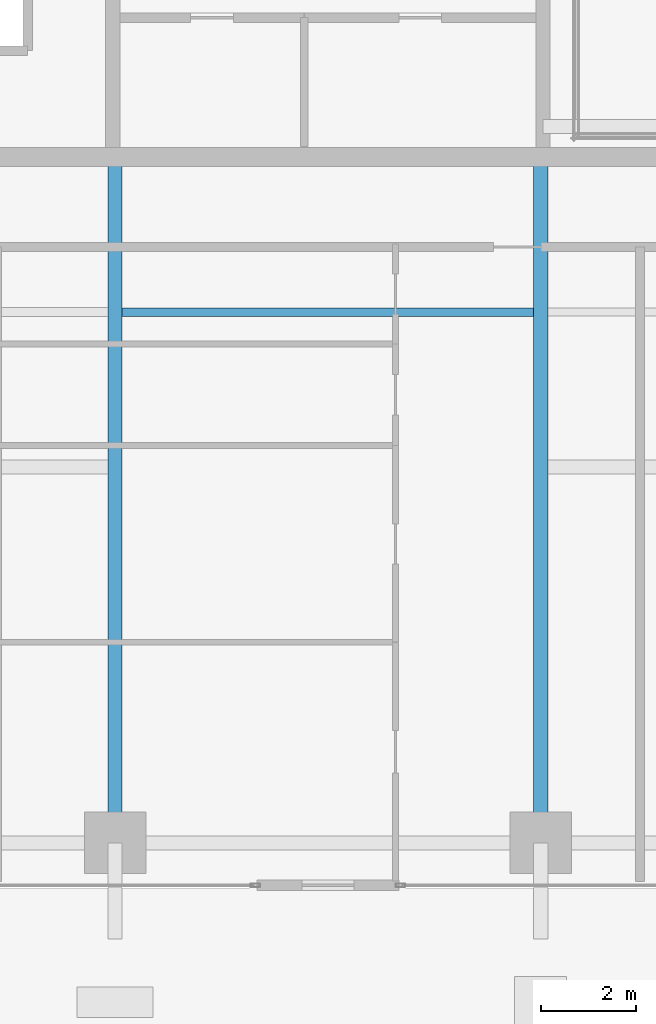
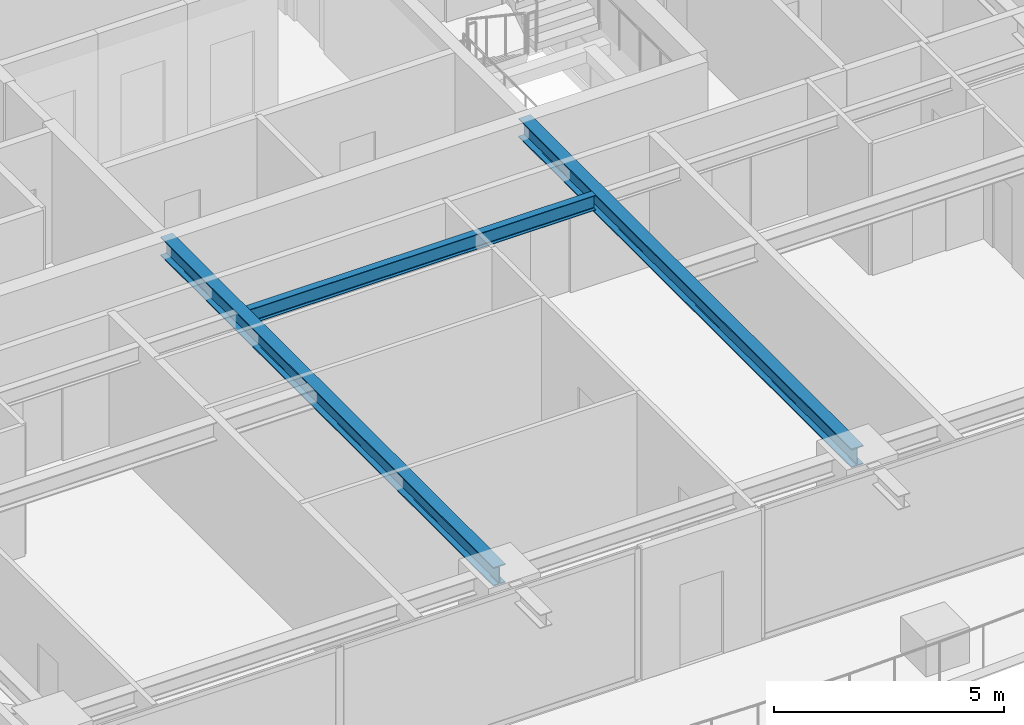
# One storey, part 6 of 36: 3 beams.
"""IFC4 building model written with IfcOpenShell, lengths in metres."""

from ifc_helpers import new_model, si_unit, direction, frame, origin, origin_2d, place, context, subcontext, project, spatial, i_section, extrude, source, transform, mapped, material, material_profile, profile_set, type_object, element, save


model = new_model("IFC4")

# Units and contexts
model_context = context("Model", 3, precision=1e-05, world=origin(), true_north=direction((0.0, 1.0)))
body_context = subcontext(model_context, "Body", "Model", "MODEL_VIEW")
ifc_project = project(units=[si_unit("LENGTHUNIT", "METRE"), si_unit("AREAUNIT", "SQUARE_METRE"), si_unit("VOLUMEUNIT", "CUBIC_METRE"), si_unit("PLANEANGLEUNIT", "RADIAN"), si_unit("MASSUNIT", "GRAM", prefix="KILO")], contexts=[model_context])

# Site, building, storey
site_placement = place(None, origin())
site = spatial("IfcSite", under=ifc_project, at=site_placement, CompositionType="ELEMENT")
building_placement = place(site_placement, origin())
building = spatial("IfcBuilding", under=site, at=building_placement, Name="Serunith Strait Residences", CompositionType="ELEMENT")
storey_placement = place(building_placement, frame((0.0, 0.0, 131.39990234375)))
storey = spatial("IfcBuildingStorey", under=building, at=storey_placement, Name="L32", CompositionType="ELEMENT", Elevation=131.39990234375)

# Beams
ifc_material = material(Name="Steel S355J2", Category="steel")
ifc_material_profile_1 = material_profile(ifc_material, i_section(OverallWidth=0.179931640625, OverallDepth=0.39990234375, WebThickness=0.008544921875, FlangeThickness=0.013427734375, FilletRadius=0.02099609375, at=origin_2d()), Name="IPE 400")
ifc_profile_set_1 = profile_set([ifc_material_profile_1], Name="Steel S355J2")
beam_type_1 = type_object("IfcBeamType", Name="BM-IPE400", PredefinedType="JOIST", material=ifc_profile_set_1)
shared_shape_1 = source(origin(), body_context, "Body", "SweptSolid", [
    extrude(i_section(OverallWidth=0.179931640625, OverallDepth=0.39990234375, WebThickness=0.008544921875, FlangeThickness=0.013427734375, FilletRadius=0.02099609375, at=origin_2d()), origin(), (0.0, 0.0, 1.0), 8.699951171875),
])
beam_placement = place(storey_placement, frame((28.050048828125, 13.52490234375, 3.287109375), z_axis=(1.0, 0.0, 0.0), x_axis=(0.0, 1.0, 0.0)))
element("IfcBeam", 1, at=beam_placement, inside=storey, type_object=beam_type_1, Name="L32 Composite Floor Joist 02", PredefinedType="JOIST", context=body_context, shape_type="MappedRepresentation", body=[
    mapped(shared_shape_1, transform((0.0, 0.0, 0.0), scale=1.0)),
])
ifc_material_profile_2 = material_profile(ifc_material, i_section(OverallWidth=0.300048828125, OverallDepth=0.5, WebThickness=0.014404296875, FlangeThickness=0.028076171875, FilletRadius=0.027099609375, at=origin_2d()), Name="HEB 500")
ifc_profile_set_2 = profile_set([ifc_material_profile_2], Name="Steel S355J2")
beam_type_2 = type_object("IfcBeamType", Name="BM-HEB500", PredefinedType="BEAM", material=ifc_profile_set_2)
shared_shape_2 = source(origin(), body_context, "Body", "SweptSolid", [
    extrude(i_section(OverallWidth=0.300048828125, OverallDepth=0.5, WebThickness=0.014404296875, FlangeThickness=0.028076171875, FilletRadius=0.027099609375, at=origin_2d()), origin(), (0.0, 0.0, 1.0), 14.5),
])
for number, where, z_axis, x_axis, name in (
    (2, (27.89990234375, 16.800048828125, 3.237060546875), (0.0, -1.0, 0.0), (1.0, 0.0, 0.0), "L32 Primary Floor Girder TC-S2"),
    (3, (36.89990234375, 16.800048828125, 3.237060546875), (0.0, -1.0, 0.0), (1.0, 0.0, 0.0), "L32 Primary Floor Girder TC-S3"),
):
    element("IfcBeam", number, at=place(storey_placement, frame(where, z_axis=z_axis, x_axis=x_axis)), inside=storey, type_object=beam_type_2, Name=name, PredefinedType="BEAM", context=body_context, shape_type="MappedRepresentation", body=[
        mapped(shared_shape_2, transform((0.0, 0.0, 0.0), scale=1.0)),
    ])

save(model, "model.ifc")
